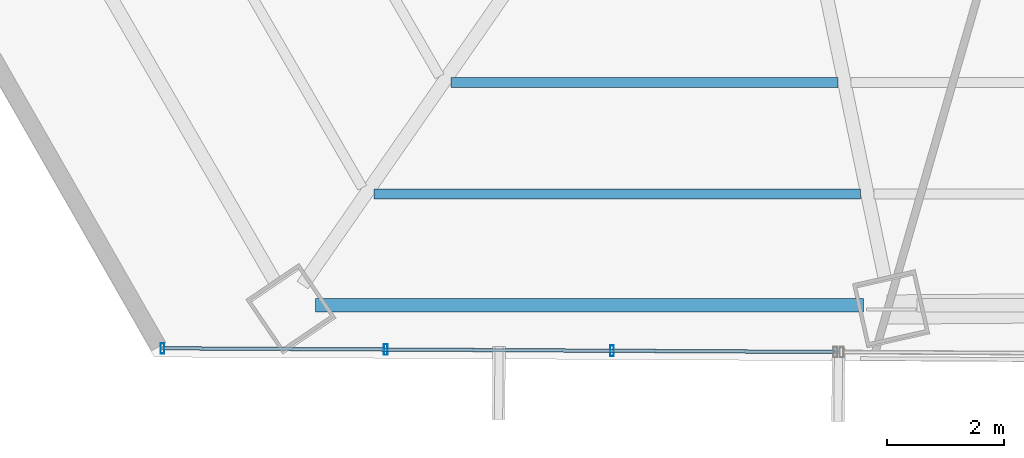
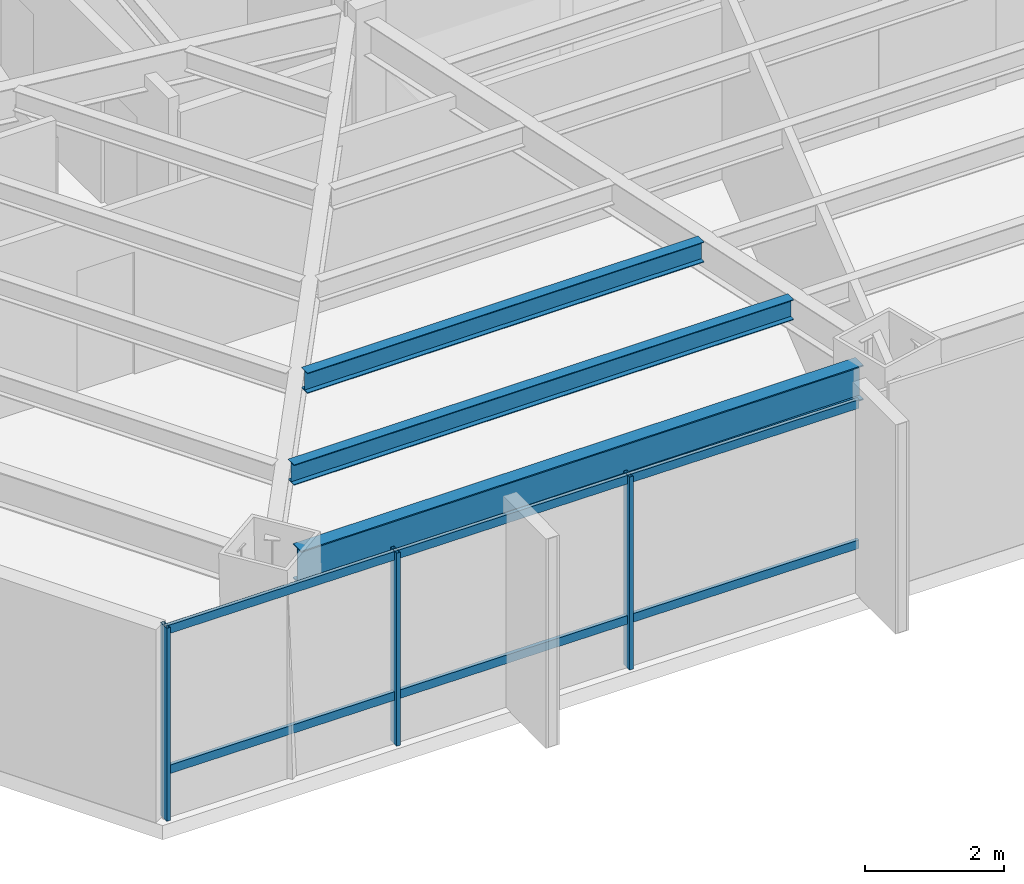
# One storey, part 4 of 36: 5 members, 3 beams, 1 element without a shape of its own.
"""IFC4 building model written with IfcOpenShell, lengths in metres."""

from ifc_helpers import new_model, si_unit, direction, frame, origin, origin_2d, place, context, subcontext, project, spatial, hollow_rectangle, i_section, extrude, source, transform, mapped, material, material_profile, profile_set, type_object, type_shapes, element, aggregate, save


model = new_model("IFC4")

# Units and contexts
model_context = context("Model", 3, precision=1e-05, world=origin(), true_north=direction((0.0, 1.0)))
body_context = subcontext(model_context, "Body", "Model", "MODEL_VIEW")
ifc_project = project(units=[si_unit("LENGTHUNIT", "METRE"), si_unit("AREAUNIT", "SQUARE_METRE"), si_unit("VOLUMEUNIT", "CUBIC_METRE"), si_unit("PLANEANGLEUNIT", "RADIAN"), si_unit("MASSUNIT", "GRAM", prefix="KILO")], contexts=[model_context])

# Site, building, storey
site_placement = place(None, origin())
site = spatial("IfcSite", under=ifc_project, at=site_placement, CompositionType="ELEMENT")
building_placement = place(site_placement, origin())
building = spatial("IfcBuilding", under=site, at=building_placement, Name="Caelisora Broadcast Tower", CompositionType="ELEMENT")
storey_placement = place(building_placement, frame((0.0, 0.0, 83.5)))
storey = spatial("IfcBuildingStorey", under=building, at=storey_placement, Name="L21", CompositionType="ELEMENT", Elevation=83.5)

# Beams
ifc_material_1 = material(Name="Steel Grade 350 (AS/NZS 3679.1)", Category="steel")
ifc_material_profile_1 = material_profile(ifc_material_1, i_section(OverallWidth=0.22900390625, OverallDepth=0.611572265625, WebThickness=0.011962890625, FlangeThickness=0.01953125, at=origin_2d()), Name="Steel Grade 350 (AS/NZS 3679.1)")
ifc_profile_set_1 = profile_set([ifc_material_profile_1], Name="Steel Grade 350 (AS/NZS 3679.1)")
beam_type_1 = type_object("IfcBeamType", Name="PG03", PredefinedType="BEAM", material=ifc_profile_set_1)
shared_shape_1 = source(origin(), body_context, "Body", "SweptSolid", [
    extrude(i_section(OverallWidth=0.22900390625, OverallDepth=0.611572265625, WebThickness=0.011962890625, FlangeThickness=0.01953125, at=origin_2d()), origin(), (0.0, 0.0, 1.0), 9.36962890625),
])
type_shapes(beam_type_1, [shared_shape_1])
beam_1_placement = place(storey_placement, frame((23.025634765625, 5.9794921875, 3.09423828125), z_axis=(1.0, 0.0, 0.0), x_axis=(0.0, 1.0, 0.0)))
element("IfcBeam", 1, at=beam_1_placement, inside=storey, type_object=beam_type_1, Name="L21 beam PG03", PredefinedType="BEAM", context=body_context, shape_type="MappedRepresentation", body=[
    mapped(shared_shape_1, transform((0.0, 0.0, 0.0), scale=1.0)),
])
ifc_material_profile_2 = material_profile(ifc_material_1, i_section(OverallWidth=0.172119140625, OverallDepth=0.358642578125, WebThickness=0.008056640625, FlangeThickness=0.012939453125, at=origin_2d()), Name="Steel Grade 350 (AS/NZS 3679.1)")
ifc_profile_set_2 = profile_set([ifc_material_profile_2], Name="Steel Grade 350 (AS/NZS 3679.1)")
beam_type_2 = type_object("IfcBeamType", Name="SB02", PredefinedType="JOIST", material=ifc_profile_set_2)
shared_shape_2 = source(origin(), body_context, "Body", "SweptSolid", [
    extrude(i_section(OverallWidth=0.172119140625, OverallDepth=0.358642578125, WebThickness=0.008056640625, FlangeThickness=0.012939453125, at=origin_2d()), origin(), (0.0, 0.0, 1.0), 6.610595703125),
])
beam_2_placement = place(storey_placement, frame((25.34619140625, 9.786376953125, 3.220703125), z_axis=(1.0, 0.0, 0.0), x_axis=(0.0, 1.0, 0.0)))
element("IfcBeam", 2, at=beam_2_placement, inside=storey, type_object=beam_type_2, Name="L21 beam SB02", PredefinedType="JOIST", context=body_context, shape_type="MappedRepresentation", body=[
    mapped(shared_shape_2, transform((0.0, 0.0, 0.0), scale=1.0)),
])
shared_shape_3 = source(origin(), body_context, "Body", "SweptSolid", [
    extrude(i_section(OverallWidth=0.172119140625, OverallDepth=0.358642578125, WebThickness=0.008056640625, FlangeThickness=0.012939453125, at=origin_2d()), origin(), (0.0, 0.0, 1.0), 8.32568359375),
])
type_shapes(beam_type_2, [shared_shape_2, shared_shape_3])
beam_3_placement = place(storey_placement, frame((24.023681640625, 7.8828125, 3.220703125), z_axis=(1.0, 0.0, 0.0), x_axis=(0.0, 1.0, 0.0)))
element("IfcBeam", 3, at=beam_3_placement, inside=storey, type_object=beam_type_2, Name="L21 beam SB02", PredefinedType="JOIST", context=body_context, shape_type="MappedRepresentation", body=[
    mapped(shared_shape_3, transform((0.0, 0.0, 0.0), scale=1.0)),
])

# Curtain wall, members
ifc_material_2 = material(Name="Unitised Aluminium and Low-E Glass Curtain Wall", Category="glass")
curtain_wall_type = type_object("IfcCurtainWallType", Name="CW-Z2", PredefinedType="NOTDEFINED", material=ifc_material_2)
curtain_wall_placement = place(storey_placement, origin())
curtain_wall = element("IfcCurtainWall", 4, at=curtain_wall_placement, inside=storey, type_object=curtain_wall_type, Name="L21 curtain wall CW-Z2", PredefinedType="NOTDEFINED")
ifc_material_3 = material(Name="Aluminium 6063-T6 Anodised Terracotta Bronze", Category="aluminium")
ifc_material_profile_3 = material_profile(ifc_material_3, hollow_rectangle(XDim=0.06494140625, YDim=0.179931640625, WallThickness=0.00341796875, at=origin_2d()), Name="Aluminium 6063-T6 Anodised Terracotta Bronze")
ifc_profile_set_3 = profile_set([ifc_material_profile_3], Name="Aluminium 6063-T6 Anodised Terracotta Bronze")
member_type_1 = type_object("IfcMemberType", Name="CWM-02", PredefinedType="MULLION", material=ifc_profile_set_3)
shared_shape_4 = source(origin(), body_context, "Body", "SweptSolid", [
    extrude(hollow_rectangle(XDim=0.06494140625, YDim=0.179931640625, WallThickness=0.00341796875, at=origin_2d()), origin(), (0.0, 0.0, 1.0), 3.39990234375),
])
type_shapes(member_type_1, [shared_shape_4])
member_1_placement = place(storey_placement, frame((28.09521484375, 5.201416015625, 0.0), z_axis=(0.0, 0.0, 1.0), x_axis=(1.0, 0.0, 0.0)))
member_1 = element("IfcMember", 5, at=member_1_placement, type_object=member_type_1, Name="L21-CW-B07 mullion #1", PredefinedType="MULLION", context=body_context, shape_type="MappedRepresentation", body=[
    mapped(shared_shape_4, transform((0.0, 0.0, 0.0), scale=1.0)),
])
member_2_placement = place(storey_placement, frame((24.2275390625, 5.22265625, 0.0), z_axis=(0.0, 0.0, 1.0), x_axis=(1.0, 0.0, 0.0)))
member_2 = element("IfcMember", 6, at=member_2_placement, type_object=member_type_1, Name="L21-CW-B07 mullion #2", PredefinedType="MULLION", context=body_context, shape_type="MappedRepresentation", body=[
    mapped(shared_shape_4, transform((0.0, 0.0, 0.0), scale=1.0)),
])
member_3_placement = place(storey_placement, frame((20.409912109375, 5.24365234375, 0.0), z_axis=(0.0, 0.0, 1.0), x_axis=(1.0, 0.0, 0.0)))
member_3 = element("IfcMember", 7, at=member_3_placement, type_object=member_type_1, Name="L21-CW-B07 mullion #3", PredefinedType="MULLION", context=body_context, shape_type="MappedRepresentation", body=[
    mapped(shared_shape_4, transform((0.0, 0.0, 0.0), scale=1.0)),
])
ifc_material_profile_4 = material_profile(ifc_material_3, hollow_rectangle(XDim=0.06005859375, YDim=0.14990234375, WallThickness=0.00341796875, at=origin_2d()), Name="Aluminium 6063-T6 Anodised Terracotta Bronze")
ifc_profile_set_4 = profile_set([ifc_material_profile_4], Name="Aluminium 6063-T6 Anodised Terracotta Bronze")
member_type_2 = type_object("IfcMemberType", Name="CWT-02", PredefinedType="USERDEFINED", material=ifc_profile_set_4)
shared_shape_5 = source(origin(), body_context, "Body", "SweptSolid", [
    extrude(hollow_rectangle(XDim=0.06005859375, YDim=0.14990234375, WallThickness=0.00341796875, at=origin_2d()), origin(), (0.0, 0.0, 1.0), 11.5029296875),
])
type_shapes(member_type_2, [shared_shape_5])
member_4_placement = place(storey_placement, frame((31.91259765625, 5.180419921875, 0.85009765625), z_axis=(-0.999984890806, 0.005497104674, 0.0), x_axis=(-0.005497104674, -0.999984890806, 0.0)))
member_4 = element("IfcMember", 8, at=member_4_placement, type_object=member_type_2, Name="L21-CW-B07 transom #1", ObjectType="TRANSOM", PredefinedType="USERDEFINED", context=body_context, shape_type="MappedRepresentation", body=[
    mapped(shared_shape_5, transform((0.0, 0.0, 0.0), scale=1.0)),
])
member_5_placement = place(storey_placement, frame((31.91259765625, 5.180419921875, 3.320068359375), z_axis=(-0.999984890806, 0.005497104674, 0.0), x_axis=(-0.005497104674, -0.999984890806, 0.0)))
member_5 = element("IfcMember", 9, at=member_5_placement, type_object=member_type_2, Name="L21-CW-B07 transom #2", ObjectType="TRANSOM", PredefinedType="USERDEFINED", context=body_context, shape_type="MappedRepresentation", body=[
    mapped(shared_shape_5, transform((0.0, 0.0, 0.0), scale=1.0)),
])
aggregate(curtain_wall, [member_1, member_2, member_3, member_4, member_5])

save(model, "model.ifc")
